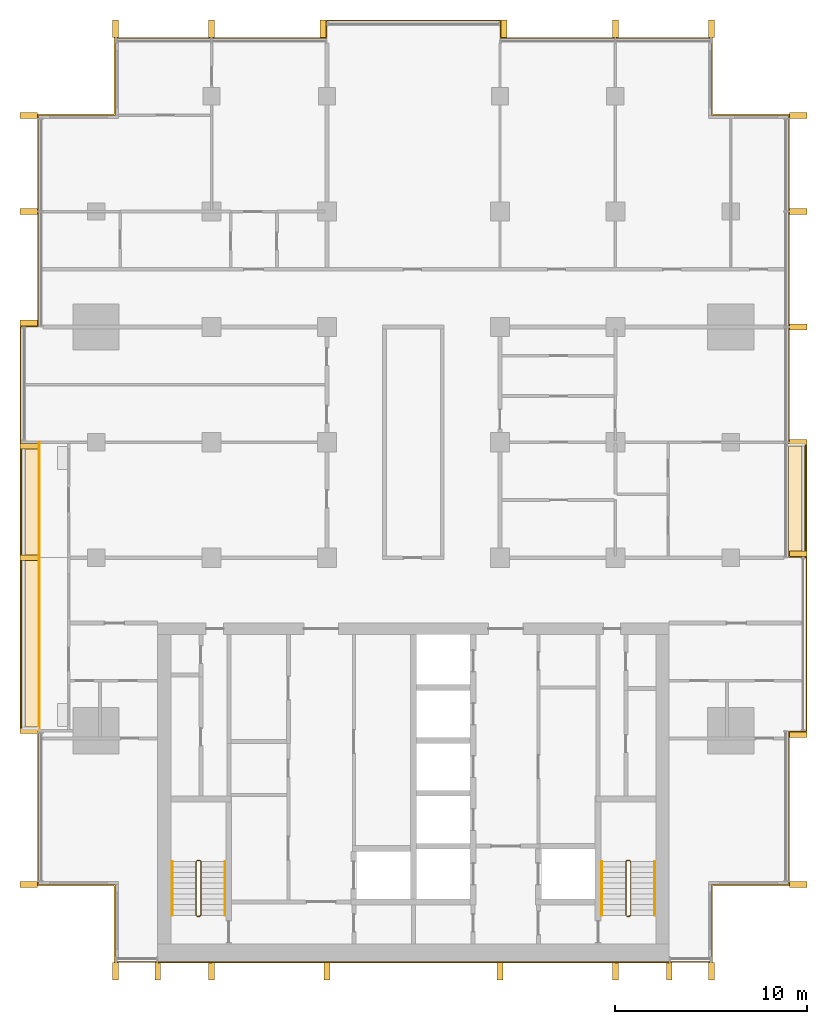
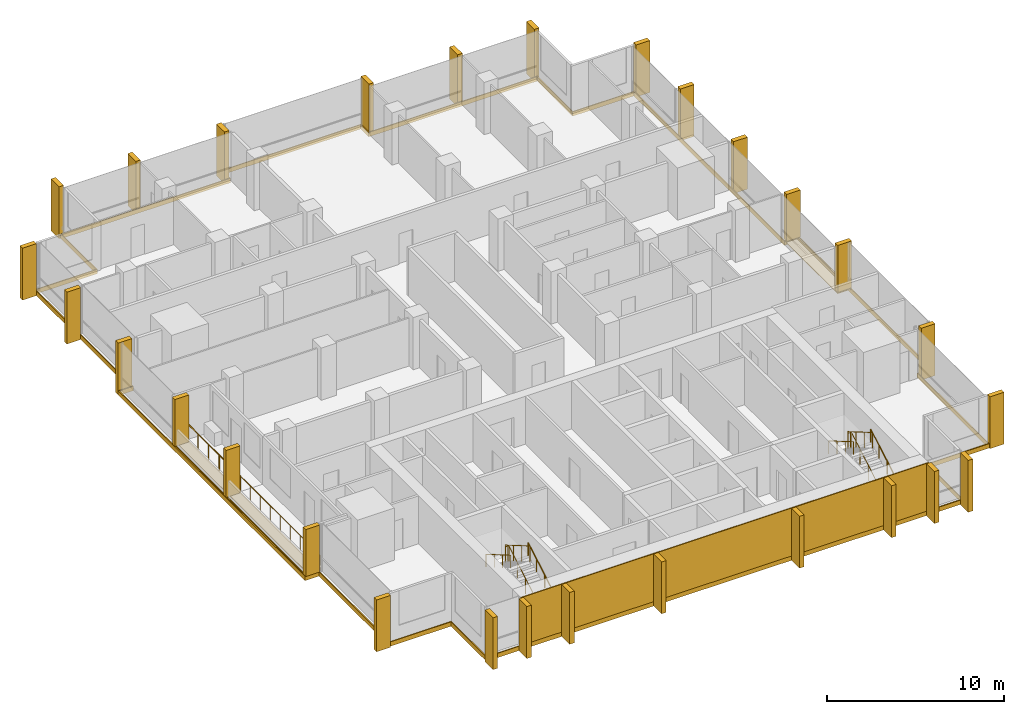
# One storey, part 16 of 16: 28 shading devices, 9 coverings, 8 railings.
"""IFC4 building model written with IfcOpenShell, lengths in metres."""

from ifc_helpers import new_model, si_unit, direction, frame, origin, origin_2d, place, context, subcontext, project, spatial, polyline, rectangle, circle, outline, extrude, material, layer, layer_set, type_object, element, save


model = new_model("IFC4")

# Units and contexts
model_context = context("Model", 3, precision=1e-05, world=origin(), true_north=direction((0.0, 1.0)))
body_context = subcontext(model_context, "Body", "Model", "MODEL_VIEW")
ifc_project = project(units=[si_unit("LENGTHUNIT", "METRE"), si_unit("AREAUNIT", "SQUARE_METRE"), si_unit("VOLUMEUNIT", "CUBIC_METRE"), si_unit("PLANEANGLEUNIT", "RADIAN"), si_unit("MASSUNIT", "GRAM", prefix="KILO")], contexts=[model_context])

# Site, building, storey
site_placement = place(None, origin())
site = spatial("IfcSite", under=ifc_project, at=site_placement, CompositionType="ELEMENT")
building_placement = place(site_placement, origin())
building = spatial("IfcBuilding", under=site, at=building_placement, Name="Finial Court Residences", CompositionType="ELEMENT")
storey_placement = place(building_placement, frame((0.0, 0.0, 188.89990234375)))
storey = spatial("IfcBuildingStorey", under=building, at=storey_placement, Name="L47", CompositionType="ELEMENT", Elevation=188.89990234375)

# Railings
ifc_material_1 = material(Name="Bronze anodised aluminium", Category="aluminium")
railing_type_1 = type_object("IfcRailingType", Name="Balcony guard 1100", PredefinedType="GUARDRAIL", material=ifc_material_1)
railing_1_placement = place(storey_placement, frame((-19.449951171875, -13.5, 0.0)))
element("IfcRailing", 1, at=railing_1_placement, inside=storey, type_object=railing_type_1, Name="E-L47-BALW2-R", PredefinedType="GUARDRAIL", context=body_context, shape_type="SweptSolid", body=[
    extrude(circle(Radius=0.02392578125, at=origin_2d()), frame((0.0, 0.0, 1.076171875), z_axis=(0.0, 1.0, 0.0), x_axis=(-1.0, 0.0, 0.0)), (0.0, 0.0, 1.0), 9.0),
    extrude(circle(Radius=0.02099609375, at=origin_2d()), origin(), (0.0, 0.0, 1.0), 1.052001953125),
    extrude(circle(Radius=0.02099609375, at=origin_2d()), frame((0.0, 1.125, 0.0)), (0.0, 0.0, 1.0), 1.052001953125),
    extrude(circle(Radius=0.02099609375, at=origin_2d()), frame((0.0, 2.25, 0.0)), (0.0, 0.0, 1.0), 1.052001953125),
    extrude(circle(Radius=0.02099609375, at=origin_2d()), frame((0.0, 3.375, 0.0)), (0.0, 0.0, 1.0), 1.052001953125),
    extrude(circle(Radius=0.02099609375, at=origin_2d()), frame((0.0, 4.5, 0.0)), (0.0, 0.0, 1.0), 1.052001953125),
    extrude(circle(Radius=0.02099609375, at=origin_2d()), frame((0.0, 5.625, 0.0)), (0.0, 0.0, 1.0), 1.052001953125),
    extrude(circle(Radius=0.02099609375, at=origin_2d()), frame((0.0, 6.75, 0.0)), (0.0, 0.0, 1.0), 1.052001953125),
    extrude(circle(Radius=0.02099609375, at=origin_2d()), frame((0.0, 7.875, 0.0)), (0.0, 0.0, 1.0), 1.052001953125),
    extrude(circle(Radius=0.02099609375, at=origin_2d()), frame((0.0, 9.0, 0.0)), (0.0, 0.0, 1.0), 1.052001953125),
])
railing_2_placement = place(storey_placement, frame((-19.449951171875, -4.5, 0.0)))
element("IfcRailing", 2, at=railing_2_placement, inside=storey, type_object=railing_type_1, Name="E-L47-BALW3-R", PredefinedType="GUARDRAIL", context=body_context, shape_type="SweptSolid", body=[
    extrude(circle(Radius=0.02392578125, at=origin_2d()), frame((0.0, 0.0, 1.076171875), z_axis=(0.0, 1.0, 0.0), x_axis=(-1.0, 0.0, 0.0)), (0.0, 0.0, 1.0), 6.0),
    extrude(circle(Radius=0.02099609375, at=origin_2d()), origin(), (0.0, 0.0, 1.0), 1.052001953125),
    extrude(circle(Radius=0.02099609375, at=origin_2d()), frame((0.0, 1.199951171875, 0.0)), (0.0, 0.0, 1.0), 1.052001953125),
    extrude(circle(Radius=0.02099609375, at=origin_2d()), frame((0.0, 2.39990234375, 0.0)), (0.0, 0.0, 1.0), 1.052001953125),
    extrude(circle(Radius=0.02099609375, at=origin_2d()), frame((0.0, 3.60009765625, 0.0)), (0.0, 0.0, 1.0), 1.052001953125),
    extrude(circle(Radius=0.02099609375, at=origin_2d()), frame((0.0, 4.800048828125, 0.0)), (0.0, 0.0, 1.0), 1.052001953125),
    extrude(circle(Radius=0.02099609375, at=origin_2d()), frame((0.0, 6.0, 0.0)), (0.0, 0.0, 1.0), 1.052001953125),
])

# Coverings
ifc_material_2 = material(Name="Natural limestone", Category="masonry")
ifc_layer_1 = layer(ifc_material_2, 0.06005859375)
ifc_layer_set_1 = layer_set([ifc_layer_1], Name="Limestone cladding to the blind core face 60")
covering_type_1 = type_object("IfcCoveringType", Name="Limestone cladding to the blind core face 60", PredefinedType="CLADDING", material=ifc_layer_set_1)
covering_1_placement = place(storey_placement, origin())
element("IfcCovering", 3, at=covering_1_placement, inside=storey, type_object=covering_type_1, Name="E-L47-CLAD1", PredefinedType="CLADDING", context=body_context, shape_type="SweptSolid", body=[
    extrude(outline(polyline([(-10.5, -25.56005859375), (-10.5, -25.5), (-13.300048828125, -25.5), (-13.300048828125, -25.56005859375), (-10.5, -25.56005859375)])), origin(), (0.0, 0.0, 1.0), 3.300048828125),
])
covering_2_placement = place(storey_placement, origin())
element("IfcCovering", 4, at=covering_2_placement, inside=storey, type_object=covering_type_1, Name="E-L47-CLAD2", PredefinedType="CLADDING", context=body_context, shape_type="SweptSolid", body=[
    extrude(outline(polyline([(-4.5, -25.56005859375), (-4.5, -25.5), (-10.5, -25.5), (-10.5, -25.56005859375), (-4.5, -25.56005859375)])), origin(), (0.0, 0.0, 1.0), 3.300048828125),
])
covering_3_placement = place(storey_placement, origin())
element("IfcCovering", 5, at=covering_3_placement, inside=storey, type_object=covering_type_1, Name="E-L47-CLAD3", PredefinedType="CLADDING", context=body_context, shape_type="SweptSolid", body=[
    extrude(outline(polyline([(4.5, -25.56005859375), (4.5, -25.5), (-4.5, -25.5), (-4.5, -25.56005859375), (4.5, -25.56005859375)])), origin(), (0.0, 0.0, 1.0), 3.300048828125),
])
covering_4_placement = place(storey_placement, origin())
element("IfcCovering", 6, at=covering_4_placement, inside=storey, type_object=covering_type_1, Name="E-L47-CLAD4", PredefinedType="CLADDING", context=body_context, shape_type="SweptSolid", body=[
    extrude(outline(polyline([(10.5, -25.56005859375), (10.5, -25.5), (4.5, -25.5), (4.5, -25.56005859375), (10.5, -25.56005859375)])), origin(), (0.0, 0.0, 1.0), 3.300048828125),
])
covering_5_placement = place(storey_placement, origin())
element("IfcCovering", 7, at=covering_5_placement, inside=storey, type_object=covering_type_1, Name="E-L47-CLAD5", PredefinedType="CLADDING", context=body_context, shape_type="SweptSolid", body=[
    extrude(outline(polyline([(13.300048828125, -25.56005859375), (13.300048828125, -25.5), (10.5, -25.5), (10.5, -25.56005859375), (13.300048828125, -25.56005859375)])), origin(), (0.0, 0.0, 1.0), 3.300048828125),
])

# Shading devices
shading_device_type = type_object("IfcShadingDeviceType", Name="Limestone fin 300 x 900", PredefinedType="USERDEFINED", material=ifc_material_2)
for number, where, z_axis, x_axis, name in (
    (8, (-15.5, 23.010009765625, -0.300048828125), (0.0, 0.0, 1.0), (1.0, 0.0, 0.0), "E-L47-FIN-N1"),
    (9, (-10.5, 23.010009765625, -0.300048828125), (0.0, 0.0, 1.0), (1.0, 0.0, 0.0), "E-L47-FIN-N2"),
    (10, (-4.7099609375, 23.010009765625, -0.300048828125), (0.0, 0.0, 1.0), (1.0, 0.0, 0.0), "E-L47-FIN-N3"),
    (11, (4.7099609375, 23.010009765625, -0.300048828125), (0.0, 0.0, 1.0), (1.0, 0.0, 0.0), "E-L47-FIN-N4"),
    (12, (10.5, 23.010009765625, -0.300048828125), (0.0, 0.0, 1.0), (1.0, 0.0, 0.0), "E-L47-FIN-N5"),
    (13, (15.5, 23.010009765625, -0.300048828125), (0.0, 0.0, 1.0), (1.0, 0.0, 0.0), "E-L47-FIN-N6"),
):
    element("IfcShadingDevice", number, at=place(storey_placement, frame(where, z_axis=z_axis, x_axis=x_axis)), inside=storey, type_object=shading_device_type, Name=name, ObjectType="FIN", PredefinedType="USERDEFINED", context=body_context, shape_type="SweptSolid", body=[
        extrude(rectangle(XDim=0.300048828125, YDim=0.89990234375, at=origin_2d()), origin(), (0.0, 0.0, 1.0), 3.580078125),
    ])
for number, where, z_axis, x_axis, name in (
    (14, (20.010009765625, -21.5, -0.300048828125), (0.0, 0.0, 1.0), (1.0, 0.0, 0.0), "E-L47-FIN-E7"),
    (15, (20.010009765625, -13.7099609375, -0.300048828125), (0.0, 0.0, 1.0), (1.0, 0.0, 0.0), "E-L47-FIN-E8"),
):
    element("IfcShadingDevice", number, at=place(storey_placement, frame(where, z_axis=z_axis, x_axis=x_axis)), inside=storey, type_object=shading_device_type, Name=name, ObjectType="FIN", PredefinedType="USERDEFINED", context=body_context, shape_type="SweptSolid", body=[
        extrude(rectangle(XDim=0.89990234375, YDim=0.300048828125, at=origin_2d()), origin(), (0.0, 0.0, 1.0), 3.580078125),
    ])
for number, where, z_axis, x_axis, name in (
    (16, (20.010009765625, -4.2900390625, 0.0400390625), (0.0, 0.0, 1.0), (1.0, 0.0, 0.0), "E-L47-FIN-E9"),
    (17, (20.010009765625, 1.5, 0.0400390625), (0.0, 0.0, 1.0), (1.0, 0.0, 0.0), "E-L47-FIN-E10"),
):
    element("IfcShadingDevice", number, at=place(storey_placement, frame(where, z_axis=z_axis, x_axis=x_axis)), inside=storey, type_object=shading_device_type, Name=name, ObjectType="FIN", PredefinedType="USERDEFINED", context=body_context, shape_type="SweptSolid", body=[
        extrude(rectangle(XDim=0.89990234375, YDim=0.300048828125, at=origin_2d()), origin(), (0.0, 0.0, 1.0), 3.239990234375),
    ])
for number, where, z_axis, x_axis, name in (
    (18, (20.010009765625, 7.5, -0.300048828125), (0.0, 0.0, 1.0), (1.0, 0.0, 0.0), "E-L47-FIN-E11"),
    (19, (20.010009765625, 13.5, -0.300048828125), (0.0, 0.0, 1.0), (1.0, 0.0, 0.0), "E-L47-FIN-E12"),
    (20, (20.010009765625, 18.5, -0.300048828125), (0.0, 0.0, 1.0), (1.0, 0.0, 0.0), "E-L47-FIN-E13"),
):
    element("IfcShadingDevice", number, at=place(storey_placement, frame(where, z_axis=z_axis, x_axis=x_axis)), inside=storey, type_object=shading_device_type, Name=name, ObjectType="FIN", PredefinedType="USERDEFINED", context=body_context, shape_type="SweptSolid", body=[
        extrude(rectangle(XDim=0.89990234375, YDim=0.300048828125, at=origin_2d()), origin(), (0.0, 0.0, 1.0), 3.580078125),
    ])
for number, where, z_axis, x_axis, name in (
    (21, (-15.5, -26.010009765625, -0.300048828125), (0.0, 0.0, 1.0), (1.0, 0.0, 0.0), "E-L47-FIN-S14"),
    (22, (-13.300048828125, -26.010009765625, -0.300048828125), (0.0, 0.0, 1.0), (1.0, 0.0, 0.0), "E-L47-FIN-S15"),
    (23, (-10.5, -26.010009765625, -0.300048828125), (0.0, 0.0, 1.0), (1.0, 0.0, 0.0), "E-L47-FIN-S16"),
    (24, (-4.5, -26.010009765625, -0.300048828125), (0.0, 0.0, 1.0), (1.0, 0.0, 0.0), "E-L47-FIN-S17"),
    (25, (4.5, -26.010009765625, -0.300048828125), (0.0, 0.0, 1.0), (1.0, 0.0, 0.0), "E-L47-FIN-S18"),
    (26, (10.5, -26.010009765625, -0.300048828125), (0.0, 0.0, 1.0), (1.0, 0.0, 0.0), "E-L47-FIN-S19"),
    (27, (13.300048828125, -26.010009765625, -0.300048828125), (0.0, 0.0, 1.0), (1.0, 0.0, 0.0), "E-L47-FIN-S20"),
    (28, (15.5, -26.010009765625, -0.300048828125), (0.0, 0.0, 1.0), (1.0, 0.0, 0.0), "E-L47-FIN-S21"),
):
    element("IfcShadingDevice", number, at=place(storey_placement, frame(where, z_axis=z_axis, x_axis=x_axis)), inside=storey, type_object=shading_device_type, Name=name, ObjectType="FIN", PredefinedType="USERDEFINED", context=body_context, shape_type="SweptSolid", body=[
        extrude(rectangle(XDim=0.300048828125, YDim=0.89990234375, at=origin_2d()), origin(), (0.0, 0.0, 1.0), 3.580078125),
    ])
shading_device_placement = place(storey_placement, frame((-20.010009765625, -21.5, -0.300048828125), z_axis=(0.0, 0.0, 1.0), x_axis=(1.0, 0.0, 0.0)))
element("IfcShadingDevice", 29, at=shading_device_placement, inside=storey, type_object=shading_device_type, Name="E-L47-FIN-W22", ObjectType="FIN", PredefinedType="USERDEFINED", context=body_context, shape_type="SweptSolid", body=[
    extrude(rectangle(XDim=0.89990234375, YDim=0.300048828125, at=origin_2d()), origin(), (0.0, 0.0, 1.0), 3.580078125),
])
for number, where, z_axis, x_axis, name in (
    (30, (-20.010009765625, -13.5, 0.0400390625), (0.0, 0.0, 1.0), (1.0, 0.0, 0.0), "E-L47-FIN-W23"),
    (31, (-20.010009765625, -4.5, 0.0400390625), (0.0, 0.0, 1.0), (1.0, 0.0, 0.0), "E-L47-FIN-W24"),
    (32, (-20.010009765625, 1.2900390625, 0.0400390625), (0.0, 0.0, 1.0), (1.0, 0.0, 0.0), "E-L47-FIN-W25"),
):
    element("IfcShadingDevice", number, at=place(storey_placement, frame(where, z_axis=z_axis, x_axis=x_axis)), inside=storey, type_object=shading_device_type, Name=name, ObjectType="FIN", PredefinedType="USERDEFINED", context=body_context, shape_type="SweptSolid", body=[
        extrude(rectangle(XDim=0.89990234375, YDim=0.300048828125, at=origin_2d()), origin(), (0.0, 0.0, 1.0), 3.239990234375),
    ])
for number, where, z_axis, x_axis, name in (
    (33, (-20.010009765625, 7.7099609375, -0.300048828125), (0.0, 0.0, 1.0), (1.0, 0.0, 0.0), "E-L47-FIN-W26"),
    (34, (-20.010009765625, 13.5, -0.300048828125), (0.0, 0.0, 1.0), (1.0, 0.0, 0.0), "E-L47-FIN-W27"),
    (35, (-20.010009765625, 18.5, -0.300048828125), (0.0, 0.0, 1.0), (1.0, 0.0, 0.0), "E-L47-FIN-W28"),
):
    element("IfcShadingDevice", number, at=place(storey_placement, frame(where, z_axis=z_axis, x_axis=x_axis)), inside=storey, type_object=shading_device_type, Name=name, ObjectType="FIN", PredefinedType="USERDEFINED", context=body_context, shape_type="SweptSolid", body=[
        extrude(rectangle(XDim=0.89990234375, YDim=0.300048828125, at=origin_2d()), origin(), (0.0, 0.0, 1.0), 3.580078125),
    ])

# Coverings
ifc_material_3 = material(Name="Pale limestone", Category="masonry")
ifc_layer_2 = layer(ifc_material_3, 0.06005859375)
ifc_layer_set_2 = layer_set([ifc_layer_2], Name="Pale limestone slab-edge band 60")
covering_type_2 = type_object("IfcCoveringType", Name="Pale limestone slab-edge band 60", PredefinedType="CLADDING", material=ifc_layer_set_2)
covering_6_placement = place(storey_placement, frame((0.0, 0.0, -0.2998046875)))
element("IfcCovering", 36, at=covering_6_placement, inside=storey, type_object=covering_type_2, Name="E-L47-BAND1", PredefinedType="CLADDING", context=body_context, shape_type="SweptSolid", body=[
    extrude(outline(polyline([(-20.4599609375, 7.56005859375), (-19.56005859375, 7.56005859375), (-19.56005859375, 18.56005859375), (-15.56005859375, 18.56005859375), (-15.56005859375, 22.56005859375), (-4.56005859375, 22.56005859375), (-4.56005859375, 23.4599609375), (4.56005859375, 23.4599609375), (4.56005859375, 22.56005859375), (15.56005859375, 22.56005859375), (15.56005859375, 18.56005859375), (19.56005859375, 18.56005859375), (19.56005859375, 1.56005859375), (20.4599609375, 1.56005859375), (20.4599609375, -13.56005859375), (19.56005859375, -13.56005859375), (19.56005859375, -21.56005859375), (15.56005859375, -21.56005859375), (15.56005859375, -25.56005859375), (-15.56005859375, -25.56005859375), (-15.56005859375, -21.56005859375), (-19.56005859375, -21.56005859375), (-19.56005859375, -13.56005859375), (-20.4599609375, -13.56005859375), (-20.4599609375, 7.56005859375)]), holes=[polyline([(-19.5, -13.5), (-19.5, -21.5), (-15.5, -21.5), (-15.5, -25.5), (15.5, -25.5), (15.5, -21.5), (19.5, -21.5), (19.5, -13.5), (20.39990234375, -13.5), (20.39990234375, -4.5), (20.39990234375, 1.5), (19.5, 1.5), (19.5, 18.5), (15.5, 18.5), (15.5, 22.5), (4.5, 22.5), (4.5, 23.39990234375), (-4.5, 23.39990234375), (-4.5, 22.5), (-15.5, 22.5), (-15.5, 18.5), (-19.5, 18.5), (-19.5, 7.5), (-20.39990234375, 7.5), (-20.39990234375, 1.5), (-20.39990234375, -4.5), (-20.39990234375, -13.5), (-19.5, -13.5)])]), origin(), (0.0, 0.0, 1.0), 0.2998046875),
])
ifc_material_4 = material(Name="Bitumen membrane")
ifc_layer_3 = layer(ifc_material_4, 0.0400390625)
ifc_layer_set_3 = layer_set([ifc_layer_3], Name="Push box roofing, bitumen membrane 40")
covering_type_3 = type_object("IfcCoveringType", Name="Push box roofing, bitumen membrane 40", PredefinedType="ROOFING", material=ifc_layer_set_3)
covering_7_placement = place(storey_placement, origin())
element("IfcCovering", 37, at=covering_7_placement, inside=storey, type_object=covering_type_3, Name="E-L47-LED1", PredefinedType="ROOFING", context=body_context, shape_type="SweptSolid", body=[
    extrude(outline(polyline([(-19.5, -13.5), (-20.39990234375, -13.5), (-20.39990234375, -4.5), (-20.39990234375, 1.5), (-19.5, 1.5), (-19.5, -4.5), (-19.5, -13.5)]), holes=[polyline([(-20.35009765625, -13.449951171875), (-19.510009765625, -13.449951171875), (-19.510009765625, -13.300048828125), (-20.199951171875, -13.300048828125), (-20.199951171875, 1.489990234375), (-20.35009765625, 1.489990234375), (-20.35009765625, -13.300048828125), (-20.35009765625, -13.300048828125), (-20.35009765625, -13.449951171875)])]), origin(), (0.0, 0.0, 1.0), 0.0400390625),
])
covering_8_placement = place(storey_placement, origin())
element("IfcCovering", 38, at=covering_8_placement, inside=storey, type_object=covering_type_3, Name="E-L47-LED2", PredefinedType="ROOFING", context=body_context, shape_type="SweptSolid", body=[
    extrude(outline(polyline([(19.5, 1.300048828125), (20.199951171875, 1.300048828125), (20.199951171875, -4.5), (19.5, -4.5), (19.5, 1.300048828125)])), origin(), (0.0, 0.0, 1.0), 0.0400390625),
])
covering_9_placement = place(storey_placement, origin())
element("IfcCovering", 39, at=covering_9_placement, inside=storey, type_object=covering_type_3, Name="E-L47-LED2b", PredefinedType="ROOFING", context=body_context, shape_type="SweptSolid", body=[
    extrude(outline(polyline([(19.5, 1.5), (20.39990234375, 1.5), (20.39990234375, -4.5), (20.35009765625, -4.5), (20.35009765625, 1.300048828125), (20.35009765625, 1.300048828125), (20.35009765625, 1.449951171875), (19.5, 1.449951171875), (19.5, 1.5)])), origin(), (0.0, 0.0, 1.0), 0.0400390625),
])

# Railings
ifc_material_5 = material(Name="Stainless steel railing", Category="steel")
railing_type_2 = type_object("IfcRailingType", Name="Stair guard 1100", PredefinedType="GUARDRAIL", material=ifc_material_5)
railing_3_placement = place(storey_placement, frame((-11.10009765625, -23.14990234375, 0.0)))
element("IfcRailing", 40, at=railing_3_placement, inside=storey, type_object=railing_type_2, Name="L47 ST-1 stair guard 1", PredefinedType="GUARDRAIL", context=body_context, shape_type="SweptSolid", body=[
    extrude(circle(Radius=0.02392578125, at=origin_2d()), frame((0.0, 0.0, 1.076171875), z_axis=(-1.0, 0.0, 0.0), x_axis=(0.0, -1.0, 0.0)), (0.0, 0.0, 1.0), 0.14990234375),
    extrude(circle(Radius=0.02392578125, at=origin_2d()), frame((-0.14990234375, 0.0, 1.076171875), z_axis=(0.759565762229, 0.189195867515, 0.622306015208), x_axis=(-0.241699205484, 0.970351222016, 0.0)), (0.0, 0.0, 1.0), 0.26318359375),
    extrude(circle(Radius=0.02392578125, at=origin_2d()), frame((0.050048828125, 0.0498046875, 1.23974609375), z_axis=(0.0, 0.863393664356, 0.504530851732), x_axis=(-1.0, 0.0, 0.0)), (0.0, 0.0, 1.0), 3.2431640625),
    extrude(circle(Radius=0.02392578125, at=origin_2d()), frame((0.050048828125, 2.849853515625, 2.8759765625), z_axis=(-0.707106781187, 0.707106781187, 0.0), x_axis=(-0.707106781187, -0.707106781187, 0.0)), (0.0, 0.0, 1.0), 0.07080078125),
    extrude(circle(Radius=0.02392578125, at=origin_2d()), frame((0.0, 2.89990234375, 2.8759765625), z_axis=(-1.0, 0.0, 0.0), x_axis=(0.0, -1.0, 0.0)), (0.0, 0.0, 1.0), 0.14990234375),
    extrude(circle(Radius=0.02392578125, at=origin_2d()), frame((-0.14990234375, 2.89990234375, 2.8759765625), z_axis=(-0.280808744504, -0.280808744504, 0.917765164963), x_axis=(0.707106781187, -0.707106781187, 0.0)), (0.0, 0.0, 1.0), 0.17822265625),
    extrude(circle(Radius=0.02392578125, at=origin_2d()), frame((-0.199951171875, 2.849853515625, 3.03955078125), z_axis=(0.0, -0.863360870873, 0.504586966384), x_axis=(1.0, 0.0, 0.0)), (0.0, 0.0, 1.0), 3.2431640625),
    extrude(circle(Radius=0.02099609375, at=origin_2d()), origin(), (0.0, 0.0, 1.0), 1.052001953125),
    extrude(circle(Radius=0.02099609375, at=origin_2d()), frame((-0.14990234375, 0.0, 0.0)), (0.0, 0.0, 1.0), 1.052001953125),
    extrude(circle(Radius=0.02099609375, at=origin_2d()), frame((0.050048828125, 0.0498046875, 0.163818359375)), (0.0, 0.0, 1.0), 1.052001953125),
    extrude(circle(Radius=0.02099609375, at=origin_2d()), frame((0.050048828125, 0.983154296875, 0.709228515625)), (0.0, 0.0, 1.0), 1.052001953125),
    extrude(circle(Radius=0.02099609375, at=origin_2d()), frame((0.050048828125, 1.91650390625, 1.254638671875)), (0.0, 0.0, 1.0), 1.052001953125),
    extrude(circle(Radius=0.02099609375, at=origin_2d()), frame((0.050048828125, 2.849853515625, 1.800048828125)), (0.0, 0.0, 1.0), 1.052001953125),
    extrude(circle(Radius=0.02099609375, at=origin_2d()), frame((0.0, 2.89990234375, 1.800048828125)), (0.0, 0.0, 1.0), 1.052001953125),
    extrude(circle(Radius=0.02099609375, at=origin_2d()), frame((-0.14990234375, 2.89990234375, 1.800048828125)), (0.0, 0.0, 1.0), 1.052001953125),
    extrude(circle(Radius=0.02099609375, at=origin_2d()), frame((-0.199951171875, 2.849853515625, 1.963623046875)), (0.0, 0.0, 1.0), 1.052001953125),
    extrude(circle(Radius=0.02099609375, at=origin_2d()), frame((-0.199951171875, 1.91650390625, 2.509033203125)), (0.0, 0.0, 1.0), 1.052001953125),
    extrude(circle(Radius=0.02099609375, at=origin_2d()), frame((-0.199951171875, 0.983154296875, 3.0546875)), (0.0, 0.0, 1.0), 1.052001953125),
    extrude(circle(Radius=0.02099609375, at=origin_2d()), frame((-0.199951171875, 0.0498046875, 3.60009765625)), (0.0, 0.0, 1.0), 1.052001953125),
])
railing_4_placement = place(storey_placement, frame((11.25, -23.14990234375, 0.0)))
element("IfcRailing", 41, at=railing_4_placement, inside=storey, type_object=railing_type_2, Name="L47 ST-2 stair guard 1", PredefinedType="GUARDRAIL", context=body_context, shape_type="SweptSolid", body=[
    extrude(circle(Radius=0.02392578125, at=origin_2d()), frame((0.0, 0.0, 1.076171875), z_axis=(-1.0, 0.0, 0.0), x_axis=(0.0, -1.0, 0.0)), (0.0, 0.0, 1.0), 0.14990234375),
    extrude(circle(Radius=0.02392578125, at=origin_2d()), frame((-0.14990234375, 0.0, 1.076171875), z_axis=(0.759565762229, 0.189195867515, 0.622306015208), x_axis=(-0.241699205484, 0.970351222016, 0.0)), (0.0, 0.0, 1.0), 0.26318359375),
    extrude(circle(Radius=0.02392578125, at=origin_2d()), frame((0.050048828125, 0.0498046875, 1.23974609375), z_axis=(0.0, 0.863393664356, 0.504530851732), x_axis=(-1.0, 0.0, 0.0)), (0.0, 0.0, 1.0), 3.2431640625),
    extrude(circle(Radius=0.02392578125, at=origin_2d()), frame((0.050048828125, 2.849853515625, 2.8759765625), z_axis=(-0.707106781187, 0.707106781187, 0.0), x_axis=(-0.707106781187, -0.707106781187, 0.0)), (0.0, 0.0, 1.0), 0.07080078125),
    extrude(circle(Radius=0.02392578125, at=origin_2d()), frame((0.0, 2.89990234375, 2.8759765625), z_axis=(-1.0, 0.0, 0.0), x_axis=(0.0, -1.0, 0.0)), (0.0, 0.0, 1.0), 0.14990234375),
    extrude(circle(Radius=0.02392578125, at=origin_2d()), frame((-0.14990234375, 2.89990234375, 2.8759765625), z_axis=(-0.280808744504, -0.280808744504, 0.917765164963), x_axis=(0.707106781187, -0.707106781187, 0.0)), (0.0, 0.0, 1.0), 0.17822265625),
    extrude(circle(Radius=0.02392578125, at=origin_2d()), frame((-0.199951171875, 2.849853515625, 3.03955078125), z_axis=(0.0, -0.863360870873, 0.504586966384), x_axis=(1.0, 0.0, 0.0)), (0.0, 0.0, 1.0), 3.2431640625),
    extrude(circle(Radius=0.02099609375, at=origin_2d()), origin(), (0.0, 0.0, 1.0), 1.052001953125),
    extrude(circle(Radius=0.02099609375, at=origin_2d()), frame((-0.14990234375, 0.0, 0.0)), (0.0, 0.0, 1.0), 1.052001953125),
    extrude(circle(Radius=0.02099609375, at=origin_2d()), frame((0.050048828125, 0.0498046875, 0.163818359375)), (0.0, 0.0, 1.0), 1.052001953125),
    extrude(circle(Radius=0.02099609375, at=origin_2d()), frame((0.050048828125, 0.983154296875, 0.709228515625)), (0.0, 0.0, 1.0), 1.052001953125),
    extrude(circle(Radius=0.02099609375, at=origin_2d()), frame((0.050048828125, 1.91650390625, 1.254638671875)), (0.0, 0.0, 1.0), 1.052001953125),
    extrude(circle(Radius=0.02099609375, at=origin_2d()), frame((0.050048828125, 2.849853515625, 1.800048828125)), (0.0, 0.0, 1.0), 1.052001953125),
    extrude(circle(Radius=0.02099609375, at=origin_2d()), frame((0.0, 2.89990234375, 1.800048828125)), (0.0, 0.0, 1.0), 1.052001953125),
    extrude(circle(Radius=0.02099609375, at=origin_2d()), frame((-0.14990234375, 2.89990234375, 1.800048828125)), (0.0, 0.0, 1.0), 1.052001953125),
    extrude(circle(Radius=0.02099609375, at=origin_2d()), frame((-0.199951171875, 2.849853515625, 1.963623046875)), (0.0, 0.0, 1.0), 1.052001953125),
    extrude(circle(Radius=0.02099609375, at=origin_2d()), frame((-0.199951171875, 1.91650390625, 2.509033203125)), (0.0, 0.0, 1.0), 1.052001953125),
    extrude(circle(Radius=0.02099609375, at=origin_2d()), frame((-0.199951171875, 0.983154296875, 3.0546875)), (0.0, 0.0, 1.0), 1.052001953125),
    extrude(circle(Radius=0.02099609375, at=origin_2d()), frame((-0.199951171875, 0.0498046875, 3.60009765625)), (0.0, 0.0, 1.0), 1.052001953125),
])
railing_type_3 = type_object("IfcRailingType", Name="Stair handrail 900", PredefinedType="HANDRAIL", material=ifc_material_5)
railing_5_placement = place(storey_placement, frame((-9.800048828125, -23.10009765625, 0.163818359375)))
element("IfcRailing", 42, at=railing_5_placement, inside=storey, type_object=railing_type_3, Name="L47 ST-1 stair handrail 1", PredefinedType="HANDRAIL", context=body_context, shape_type="SweptSolid", body=[
    extrude(circle(Radius=0.02392578125, at=origin_2d()), frame((0.0, 0.0, 0.8759765625), z_axis=(0.0, 0.863393664356, 0.504530851732), x_axis=(-1.0, 0.0, 0.0)), (0.0, 0.0, 1.0), 3.2431640625),
    extrude(circle(Radius=0.02099609375, at=origin_2d()), origin(), (0.0, 0.0, 1.0), 0.851806640625),
    extrude(circle(Radius=0.02099609375, at=origin_2d()), frame((0.0, 0.933349609375, 0.54541015625)), (0.0, 0.0, 1.0), 0.851806640625),
    extrude(circle(Radius=0.02099609375, at=origin_2d()), frame((0.0, 1.86669921875, 1.0908203125)), (0.0, 0.0, 1.0), 0.851806640625),
    extrude(circle(Radius=0.02099609375, at=origin_2d()), frame((0.0, 2.800048828125, 1.63623046875)), (0.0, 0.0, 1.0), 0.851806640625),
])
railing_6_placement = place(storey_placement, frame((-12.550048828125, -20.300048828125, 1.963623046875)))
element("IfcRailing", 43, at=railing_6_placement, inside=storey, type_object=railing_type_3, Name="L47 ST-1 stair handrail 2", PredefinedType="HANDRAIL", context=body_context, shape_type="SweptSolid", body=[
    extrude(circle(Radius=0.02392578125, at=origin_2d()), frame((0.0, 0.0, 0.8759765625), z_axis=(0.0, -0.863360870873, 0.504586966384), x_axis=(1.0, 0.0, 0.0)), (0.0, 0.0, 1.0), 3.2431640625),
    extrude(circle(Radius=0.02099609375, at=origin_2d()), origin(), (0.0, 0.0, 1.0), 0.851806640625),
    extrude(circle(Radius=0.02099609375, at=origin_2d()), frame((0.0, -0.933349609375, 0.54541015625)), (0.0, 0.0, 1.0), 0.851806640625),
    extrude(circle(Radius=0.02099609375, at=origin_2d()), frame((0.0, -1.86669921875, 1.091064453125)), (0.0, 0.0, 1.0), 0.851806640625),
    extrude(circle(Radius=0.02099609375, at=origin_2d()), frame((0.0, -2.800048828125, 1.636474609375)), (0.0, 0.0, 1.0), 0.851806640625),
])
railing_7_placement = place(storey_placement, frame((12.550048828125, -23.10009765625, 0.163818359375)))
element("IfcRailing", 44, at=railing_7_placement, inside=storey, type_object=railing_type_3, Name="L47 ST-2 stair handrail 1", PredefinedType="HANDRAIL", context=body_context, shape_type="SweptSolid", body=[
    extrude(circle(Radius=0.02392578125, at=origin_2d()), frame((0.0, 0.0, 0.8759765625), z_axis=(0.0, 0.863393664356, 0.504530851732), x_axis=(-1.0, 0.0, 0.0)), (0.0, 0.0, 1.0), 3.2431640625),
    extrude(circle(Radius=0.02099609375, at=origin_2d()), origin(), (0.0, 0.0, 1.0), 0.851806640625),
    extrude(circle(Radius=0.02099609375, at=origin_2d()), frame((0.0, 0.933349609375, 0.54541015625)), (0.0, 0.0, 1.0), 0.851806640625),
    extrude(circle(Radius=0.02099609375, at=origin_2d()), frame((0.0, 1.86669921875, 1.0908203125)), (0.0, 0.0, 1.0), 0.851806640625),
    extrude(circle(Radius=0.02099609375, at=origin_2d()), frame((0.0, 2.800048828125, 1.63623046875)), (0.0, 0.0, 1.0), 0.851806640625),
])
railing_8_placement = place(storey_placement, frame((9.800048828125, -20.300048828125, 1.963623046875)))
element("IfcRailing", 45, at=railing_8_placement, inside=storey, type_object=railing_type_3, Name="L47 ST-2 stair handrail 2", PredefinedType="HANDRAIL", context=body_context, shape_type="SweptSolid", body=[
    extrude(circle(Radius=0.02392578125, at=origin_2d()), frame((0.0, 0.0, 0.8759765625), z_axis=(0.0, -0.863360870873, 0.504586966384), x_axis=(1.0, 0.0, 0.0)), (0.0, 0.0, 1.0), 3.2431640625),
    extrude(circle(Radius=0.02099609375, at=origin_2d()), origin(), (0.0, 0.0, 1.0), 0.851806640625),
    extrude(circle(Radius=0.02099609375, at=origin_2d()), frame((0.0, -0.933349609375, 0.54541015625)), (0.0, 0.0, 1.0), 0.851806640625),
    extrude(circle(Radius=0.02099609375, at=origin_2d()), frame((0.0, -1.86669921875, 1.091064453125)), (0.0, 0.0, 1.0), 0.851806640625),
    extrude(circle(Radius=0.02099609375, at=origin_2d()), frame((0.0, -2.800048828125, 1.636474609375)), (0.0, 0.0, 1.0), 0.851806640625),
])

save(model, "model.ifc")
